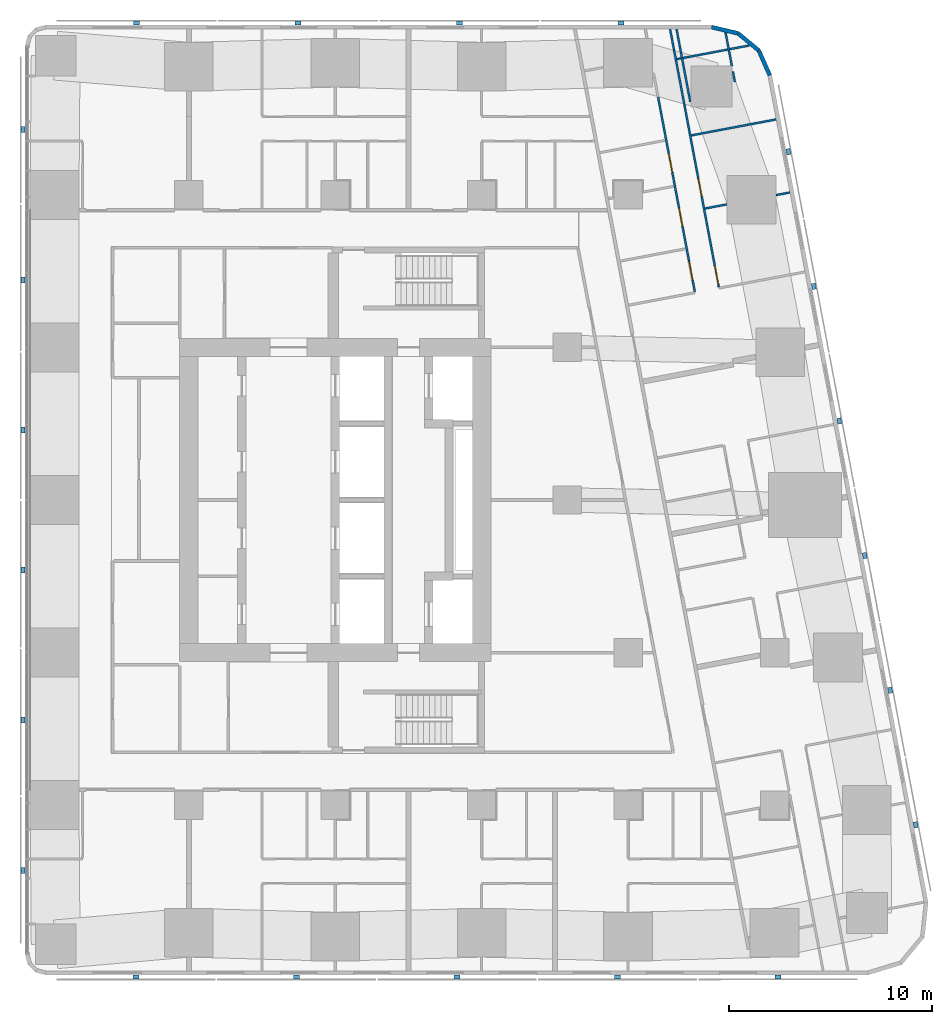
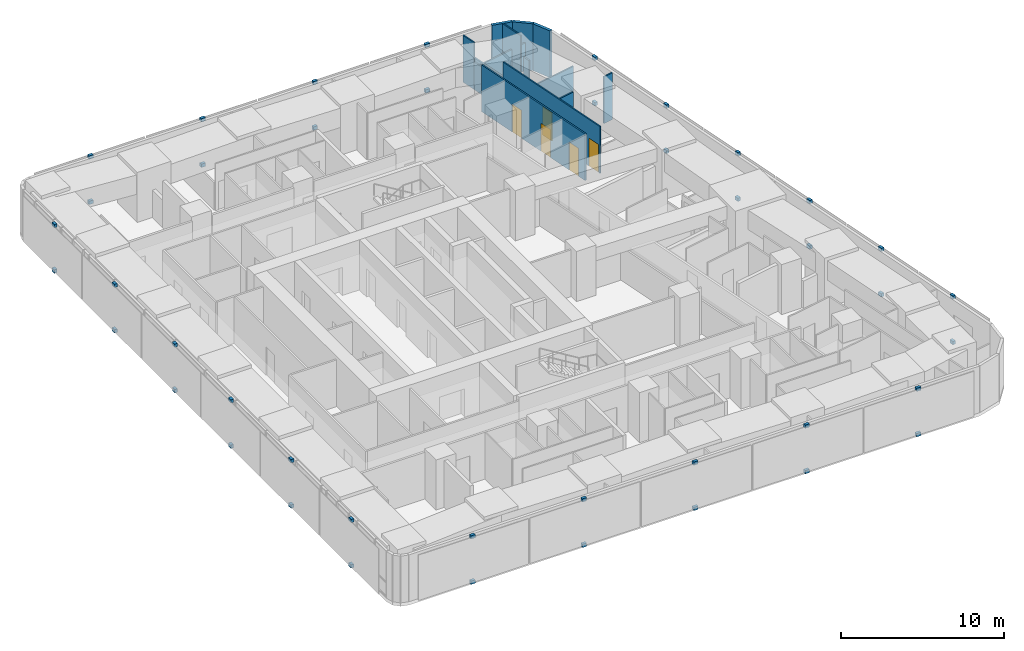
# One storey, part 17 of 19: 42 discrete accessories, 14 walls, 5 doors, 5 openings.
"""IFC4 building model written with IfcOpenShell, lengths in metres."""

from ifc_helpers import new_model, si_unit, direction, frame, frame_2d, origin, origin_2d, place, context, subcontext, project, spatial, rectangle, extrude, material, layer, layer_set, type_object, element, fill, save


model = new_model("IFC4")

# Units and contexts
model_context = context("Model", 3, precision=1e-05, world=origin(), true_north=direction((0.0, 1.0)))
body_context = subcontext(model_context, "Body", "Model", "MODEL_VIEW")
ifc_project = project(units=[si_unit("LENGTHUNIT", "METRE"), si_unit("AREAUNIT", "SQUARE_METRE"), si_unit("VOLUMEUNIT", "CUBIC_METRE"), si_unit("PLANEANGLEUNIT", "RADIAN"), si_unit("MASSUNIT", "GRAM", prefix="KILO")], contexts=[model_context])

# Site, building, storey
site_placement = place(None, origin())
site = spatial("IfcSite", under=ifc_project, at=site_placement, CompositionType="ELEMENT")
building_placement = place(site_placement, origin())
building = spatial("IfcBuilding", under=site, at=building_placement, Name="Sheger Commons Tower", CompositionType="ELEMENT")
storey_placement = place(building_placement, frame((0.0, 0.0, 216.199951171875)))
storey = spatial("IfcBuildingStorey", under=building, at=storey_placement, Name="L55", CompositionType="ELEMENT", Elevation=216.199951171875)

# Walls
ifc_material_1 = material(Name="Rendered concrete block masonry, dark grey", Category="masonry")
ifc_layer_1 = layer(ifc_material_1, 0.199951171875)
ifc_layer_set_1 = layer_set([ifc_layer_1], Name="FACADE WALL 200")
wall_type_1 = type_object("IfcWallType", Name="FACADE WALL 200", PredefinedType="SOLIDWALL", material=ifc_layer_set_1)
wall_1_placement = place(storey_placement, frame((42.969970703125, 43.376953125, 0.0), z_axis=(0.0, 0.0, 1.0), x_axis=(-0.406002956633, 0.913871762998, 0.0)))
element("IfcWall", 1, at=wall_1_placement, inside=storey, type_object=wall_type_1, Name="Facade wall L55", PredefinedType="SOLIDWALL", context=body_context, shape_type="SweptSolid", body=[
    extrude(rectangle(XDim=1.33740234375, YDim=0.199951171875, at=frame_2d((0.668701171875, 0.0))), origin(), (0.0, 0.0, 1.0), 3.5),
])
wall_2_placement = place(storey_placement, frame((42.427001953125, 44.59912109375, 0.0), z_axis=(0.0, 0.0, 1.0), x_axis=(-0.770091412544, 0.637933551655, 0.0)))
element("IfcWall", 2, at=wall_2_placement, inside=storey, type_object=wall_type_1, Name="Facade wall L55", PredefinedType="SOLIDWALL", context=body_context, shape_type="SweptSolid", body=[
    extrude(rectangle(XDim=1.324462890625, YDim=0.199951171875, at=frame_2d((0.662109375, 0.0))), origin(), (0.0, 0.0, 1.0), 3.5),
])
wall_3_placement = place(storey_placement, frame((41.406982421875, 45.444091796875, 0.0), z_axis=(0.0, 0.0, 1.0), x_axis=(-0.973453091607, 0.228886606077, 0.0)))
element("IfcWall", 3, at=wall_3_placement, inside=storey, type_object=wall_type_1, Name="Facade wall L55", PredefinedType="SOLIDWALL", context=body_context, shape_type="SweptSolid", body=[
    extrude(rectangle(XDim=1.33642578125, YDim=0.199951171875, at=frame_2d((0.668212890625, 0.0))), origin(), (0.0, 0.0, 1.0), 3.5),
])
ifc_material_2 = material(Name="Gypsum board on steel studs", Category="steel")
ifc_layer_2 = layer(ifc_material_2, 0.10009765625)
ifc_layer_set_2 = layer_set([ifc_layer_2], Name="PARTITION 100")
wall_type_2 = type_object("IfcWallType", Name="PARTITION 100", PredefinedType="PARTITIONING", material=ifc_layer_set_2)
wall_4_placement = place(storey_placement, frame((39.053955078125, 42.0849609375, 0.0), z_axis=(0.0, 0.0, 1.0), x_axis=(-0.185791584218, 0.982589175207, 0.0)))
element("IfcWall", 4, at=wall_4_placement, inside=storey, type_object=wall_type_2, Name="Partition L55", PredefinedType="PARTITIONING", context=body_context, shape_type="SweptSolid", body=[
    extrude(rectangle(XDim=3.628173828125, YDim=0.10009765625, at=frame_2d((1.81396484375, 0.0))), origin(), (0.0, 0.0, 1.0), 2.050048828125),
])
wall_5_placement = place(storey_placement, frame((40.7890625, 45.487060546875, 0.0), z_axis=(0.0, 0.0, 1.0), x_axis=(0.185572395193, -0.982630594955, 0.0)))
element("IfcWall", 5, at=wall_5_placement, inside=storey, type_object=wall_type_2, Name="Partition L55", PredefinedType="PARTITIONING", context=body_context, shape_type="SweptSolid", body=[
    extrude(rectangle(XDim=1.676025390625, YDim=0.10009765625, at=frame_2d((0.837890625, 0.0))), origin(), (0.0, 0.0, 1.0), 3.5),
])
wall_6_placement = place(storey_placement, frame((41.15087890625, 43.569091796875, 0.0), z_axis=(0.0, 0.0, 1.0), x_axis=(0.186563073924, -0.982442985342, 0.0)))
element("IfcWall", 6, at=wall_6_placement, inside=storey, type_object=wall_type_2, Name="Partition L55", PredefinedType="PARTITIONING", context=body_context, shape_type="SweptSolid", body=[
    extrude(rectangle(XDim=0.53125, YDim=0.10009765625, at=frame_2d((0.265625, 0.0))), origin(), (0.0, 0.0, 1.0), 2.050048828125),
])
wall_7_placement = place(storey_placement, frame((38.06298828125, 45.64990234375, 0.0), z_axis=(0.0, 0.0, 1.0), x_axis=(0.185677287841, -0.982610779902, 0.0)))
element("IfcWall", 7, at=wall_7_placement, inside=storey, type_object=wall_type_2, Name="Partition L55", PredefinedType="PARTITIONING", context=body_context, shape_type="SweptSolid", body=[
    extrude(rectangle(XDim=1.0400390625, YDim=0.10009765625, at=frame_2d((0.52001953125, 0.0))), origin(), (0.0, 0.0, 1.0), 3.5),
])
wall_8_placement = place(storey_placement, frame((38.256103515625, 44.6279296875, 0.0), z_axis=(0.0, 0.0, 1.0), x_axis=(0.185700639943, -0.982606366927, 0.0)))
element("IfcWall", 8, at=wall_8_placement, inside=storey, type_object=wall_type_2, Name="Partition L55", PredefinedType="PARTITIONING", context=body_context, shape_type="SweptSolid", body=[
    extrude(rectangle(XDim=2.734619140625, YDim=0.10009765625, at=frame_2d((1.3671875, 0.0))), origin(), (0.0, 0.0, 1.0), 2.050048828125),
])

# Wall, openings, doors
wall_9_placement = place(storey_placement, frame((38.763916015625, 41.94091796875, 0.0), z_axis=(0.0, 0.0, 1.0), x_axis=(0.185548572312, -0.982635093671, 0.0)))
wall_9 = element("IfcWall", 9, at=wall_9_placement, inside=storey, type_object=wall_type_2, Name="Partition L55", PredefinedType="PARTITIONING", context=body_context, shape_type="SweptSolid", body=[
    extrude(rectangle(XDim=9.135498046875, YDim=0.10009765625, at=frame_2d((4.56787109375, 0.0))), origin(), (0.0, 0.0, 1.0), 3.5),
])
opening_1_placement = place(wall_9_placement, frame((8.0849609375, 0.0, 0.0)))
opening_1 = element("IfcOpeningElement", 10, at=opening_1_placement, cuts=wall_9, Name="Opening D2", PredefinedType="OPENING", context=body_context, shape_type="SweptSolid", body=[
    extrude(rectangle(XDim=0.89990234375, YDim=2.10009765625, at=frame_2d((0.449951171875, 1.050048828125))), frame((0.0, 0.06005859375, 0.0), z_axis=(0.0, -1.0, 0.0), x_axis=(1.0, 0.0, 0.0)), (0.0, 0.0, 1.0), 0.1201171875),
])
opening_2_placement = place(wall_9_placement, frame((3.699951171875, 0.0, 0.0)))
opening_2 = element("IfcOpeningElement", 11, at=opening_2_placement, cuts=wall_9, Name="Opening D2", PredefinedType="OPENING", context=body_context, shape_type="SweptSolid", body=[
    extrude(rectangle(XDim=0.89990234375, YDim=2.10009765625, at=frame_2d((0.449951171875, 1.050048828125))), frame((0.0, 0.06005859375, 0.0), z_axis=(0.0, -1.0, 0.0), x_axis=(1.0, 0.0, 0.0)), (0.0, 0.0, 1.0), 0.1201171875),
])
ifc_material_3 = material(Name="Timber door set", Category="wood")
door_type = type_object("IfcDoorType", Name="INTERNAL DOOR 900x2100", OperationType="NOTDEFINED", PredefinedType="DOOR", material=ifc_material_3)
door_1_placement = place(opening_1_placement, origin())
door_1 = element("IfcDoor", 12, at=door_1_placement, inside=storey, type_object=door_type, Name="Main bedroom door", OperationType="SINGLE_SWING_RIGHT", OverallHeight=2.10009765625, OverallWidth=0.89990234375, PredefinedType="DOOR", context=body_context, shape_type="SweptSolid", body=[
    extrude(rectangle(XDim=0.89990234375, YDim=2.10009765625, at=frame_2d((0.449951171875, 1.050048828125))), frame((0.0, 0.02490234375, 0.0), z_axis=(0.0, -1.0, 0.0), x_axis=(1.0, 0.0, 0.0)), (0.0, 0.0, 1.0), 0.050048828125),
])
fill(opening_1, door_1)
door_2_placement = place(opening_2_placement, origin())
door_2 = element("IfcDoor", 13, at=door_2_placement, inside=storey, type_object=door_type, Name="Bedroom 2 door", OperationType="SINGLE_SWING_RIGHT", OverallHeight=2.10009765625, OverallWidth=0.89990234375, PredefinedType="DOOR", context=body_context, shape_type="SweptSolid", body=[
    extrude(rectangle(XDim=0.89990234375, YDim=2.10009765625, at=frame_2d((0.449951171875, 1.050048828125))), frame((0.0, 0.02490234375, 0.0), z_axis=(0.0, -1.0, 0.0), x_axis=(1.0, 0.0, 0.0)), (0.0, 0.0, 1.0), 0.050048828125),
])
fill(opening_2, door_2)

wall_10_placement = place(storey_placement, frame((37.472900390625, 42.30908203125, 0.0), z_axis=(0.0, 0.0, 1.0), x_axis=(0.185491912953, -0.982645790827, 0.0)))
wall_10 = element("IfcWall", 14, at=wall_10_placement, inside=storey, type_object=wall_type_2, Name="Partition L55", PredefinedType="PARTITIONING", context=body_context, shape_type="SweptSolid", body=[
    extrude(rectangle(XDim=9.737060546875, YDim=0.10009765625, at=frame_2d((4.86865234375, 0.0))), origin(), (0.0, 0.0, 1.0), 3.5),
])
opening_3_placement = place(wall_10_placement, frame((8.23193359375, 0.0, 0.0)))
opening_3 = element("IfcOpeningElement", 15, at=opening_3_placement, cuts=wall_10, Name="Opening D2", PredefinedType="OPENING", context=body_context, shape_type="SweptSolid", body=[
    extrude(rectangle(XDim=0.89990234375, YDim=2.10009765625, at=frame_2d((0.449951171875, 1.050048828125))), frame((0.0, 0.06005859375, 0.0), z_axis=(0.0, -1.0, 0.0), x_axis=(1.0, 0.0, 0.0)), (0.0, 0.0, 1.0), 0.1201171875),
])
opening_4_placement = place(wall_10_placement, frame((2.85302734375, 0.0, 0.0)))
opening_4 = element("IfcOpeningElement", 16, at=opening_4_placement, cuts=wall_10, Name="Opening D2", PredefinedType="OPENING", context=body_context, shape_type="SweptSolid", body=[
    extrude(rectangle(XDim=0.89990234375, YDim=2.10009765625, at=frame_2d((0.449951171875, 1.050048828125))), frame((0.0, 0.06005859375, 0.0), z_axis=(0.0, -1.0, 0.0), x_axis=(1.0, 0.0, 0.0)), (0.0, 0.0, 1.0), 0.1201171875),
])
opening_5_placement = place(wall_10_placement, frame((5.56396484375, 0.0, 0.0)))
opening_5 = element("IfcOpeningElement", 17, at=opening_5_placement, cuts=wall_10, Name="Opening D2", PredefinedType="OPENING", context=body_context, shape_type="SweptSolid", body=[
    extrude(rectangle(XDim=0.89990234375, YDim=2.10009765625, at=frame_2d((0.449951171875, 1.050048828125))), frame((0.0, 0.06005859375, 0.0), z_axis=(0.0, -1.0, 0.0), x_axis=(1.0, 0.0, 0.0)), (0.0, 0.0, 1.0), 0.1201171875),
])
door_3_placement = place(opening_3_placement, origin())
door_3 = element("IfcDoor", 18, at=door_3_placement, inside=storey, type_object=door_type, Name="Bathroom door", OperationType="SINGLE_SWING_LEFT", OverallHeight=2.10009765625, OverallWidth=0.89990234375, PredefinedType="DOOR", context=body_context, shape_type="SweptSolid", body=[
    extrude(rectangle(XDim=0.89990234375, YDim=2.10009765625, at=frame_2d((0.449951171875, 1.050048828125))), frame((0.0, 0.02490234375, 0.0), z_axis=(0.0, -1.0, 0.0), x_axis=(1.0, 0.0, 0.0)), (0.0, 0.0, 1.0), 0.050048828125),
])
fill(opening_3, door_3)
door_4_placement = place(opening_4_placement, origin())
door_4 = element("IfcDoor", 19, at=door_4_placement, inside=storey, type_object=door_type, Name="Laundry room door", OperationType="SINGLE_SWING_LEFT", OverallHeight=2.10009765625, OverallWidth=0.89990234375, PredefinedType="DOOR", context=body_context, shape_type="SweptSolid", body=[
    extrude(rectangle(XDim=0.89990234375, YDim=2.10009765625, at=frame_2d((0.449951171875, 1.050048828125))), frame((0.0, 0.02490234375, 0.0), z_axis=(0.0, -1.0, 0.0), x_axis=(1.0, 0.0, 0.0)), (0.0, 0.0, 1.0), 0.050048828125),
])
fill(opening_4, door_4)
door_5_placement = place(opening_5_placement, origin())
door_5 = element("IfcDoor", 20, at=door_5_placement, inside=storey, type_object=door_type, Name="Store door", OperationType="SINGLE_SWING_LEFT", OverallHeight=2.10009765625, OverallWidth=0.89990234375, PredefinedType="DOOR", context=body_context, shape_type="SweptSolid", body=[
    extrude(rectangle(XDim=0.89990234375, YDim=2.10009765625, at=frame_2d((0.449951171875, 1.050048828125))), frame((0.0, 0.02490234375, 0.0), z_axis=(0.0, -1.0, 0.0), x_axis=(1.0, 0.0, 0.0)), (0.0, 0.0, 1.0), 0.050048828125),
])
fill(opening_5, door_5)

# Walls
wall_11_placement = place(storey_placement, frame((41.968017578125, 44.85009765625, 0.0), z_axis=(0.0, 0.0, 1.0), x_axis=(-0.98258614234, -0.185807623311, 0.0)))
element("IfcWall", 21, at=wall_11_placement, inside=storey, type_object=wall_type_2, Name="Partition L55", PredefinedType="PARTITIONING", context=body_context, shape_type="SweptSolid", body=[
    extrude(rectangle(XDim=3.638427734375, YDim=0.10009765625, at=frame_2d((1.8193359375, 0.0))), origin(), (0.0, 0.0, 1.0), 2.050048828125),
])
wall_12_placement = place(storey_placement, frame((43.277099609375, 41.2119140625, 0.0), z_axis=(0.0, 0.0, 1.0), x_axis=(-0.982665405803, -0.185387972203, 0.0)))
element("IfcWall", 22, at=wall_12_placement, inside=storey, type_object=wall_type_2, Name="Partition L55", PredefinedType="PARTITIONING", context=body_context, shape_type="SweptSolid", body=[
    extrude(rectangle(XDim=4.249755859375, YDim=0.10009765625, at=frame_2d((2.125, 0.0))), origin(), (0.0, 0.0, 1.0), 2.050048828125),
])
wall_13_placement = place(storey_placement, frame((43.955078125, 37.6201171875, 0.0), z_axis=(0.0, 0.0, 1.0), x_axis=(-0.982495415327, -0.186286765128, 0.0)))
element("IfcWall", 23, at=wall_13_placement, inside=storey, type_object=wall_type_2, Name="Partition L55", PredefinedType="PARTITIONING", context=body_context, shape_type="SweptSolid", body=[
    extrude(rectangle(XDim=0.693359375, YDim=0.10009765625, at=frame_2d((0.3466796875, 0.0))), origin(), (0.0, 0.0, 1.0), 3.5),
])
wall_14_placement = place(storey_placement, frame((40.85400390625, 37.033935546875, 0.0), z_axis=(0.0, 0.0, 1.0), x_axis=(-0.982651678759, -0.185460718839, 0.0)))
element("IfcWall", 24, at=wall_14_placement, inside=storey, type_object=wall_type_2, Name="Partition L55", PredefinedType="PARTITIONING", context=body_context, shape_type="SweptSolid", body=[
    extrude(rectangle(XDim=1.093994140625, YDim=0.10009765625, at=frame_2d((0.546875, 0.0))), origin(), (0.0, 0.0, 1.0), 3.5),
])

# Discrete accessories
ifc_material_4 = material(Name="Black painted steel bracket", Category="steel")
discrete_accessory_type = type_object("IfcDiscreteAccessoryType", Name="SCREEN BRACKET 300x200x250", PredefinedType="BRACKET", material=ifc_material_4)
for number, where, z_axis, x_axis, name in (
    (25, (11.7958984375, -0.949951171875, -0.099853515625), (0.0, 0.0, 1.0), (1.0, 0.0, 0.0), "Solar screen foot bracket"),
    (26, (11.7958984375, -0.949951171875, 3.300048828125), (0.0, 0.0, 1.0), (1.0, 0.0, 0.0), "Solar screen head bracket"),
    (27, (19.68701171875, -0.949951171875, -0.099853515625), (0.0, 0.0, 1.0), (1.0, 0.0, 0.0), "Solar screen foot bracket"),
    (28, (19.68701171875, -0.949951171875, 3.300048828125), (0.0, 0.0, 1.0), (1.0, 0.0, 0.0), "Solar screen head bracket"),
    (29, (27.577880859375, -0.949951171875, -0.099853515625), (0.0, 0.0, 1.0), (1.0, 0.0, 0.0), "Solar screen foot bracket"),
    (30, (27.577880859375, -0.949951171875, 3.300048828125), (0.0, 0.0, 1.0), (1.0, 0.0, 0.0), "Solar screen head bracket"),
    (31, (35.468994140625, -0.949951171875, -0.099853515625), (0.0, 0.0, 1.0), (1.0, 0.0, 0.0), "Solar screen foot bracket"),
    (32, (35.468994140625, -0.949951171875, 3.300048828125), (0.0, 0.0, 1.0), (1.0, 0.0, 0.0), "Solar screen head bracket"),
    (33, (43.360107421875, -0.949951171875, -0.099853515625), (0.0, 0.0, 1.0), (1.0, 0.0, 0.0), "Solar screen foot bracket"),
    (34, (43.360107421875, -0.949951171875, 3.300048828125), (0.0, 0.0, 1.0), (1.0, 0.0, 0.0), "Solar screen head bracket"),
    (35, (50.134033203125, 6.527099609375, -0.099853515625), (0.0, 0.0, 1.0), (-0.185615165645, 0.982622516678, 0.0), "Solar screen foot bracket"),
    (36, (50.134033203125, 6.527099609375, 3.300048828125), (0.0, 0.0, 1.0), (-0.185615165645, 0.982622516678, 0.0), "Solar screen head bracket"),
    (37, (48.884033203125, 13.14599609375, -0.099853515625), (0.0, 0.0, 1.0), (-0.185615165645, 0.982622516678, 0.0), "Solar screen foot bracket"),
    (38, (48.884033203125, 13.14599609375, 3.300048828125), (0.0, 0.0, 1.0), (-0.185615165645, 0.982622516678, 0.0), "Solar screen head bracket"),
    (39, (47.633056640625, 19.76611328125, -0.099853515625), (0.0, 0.0, 1.0), (-0.185615165645, 0.982622516678, 0.0), "Solar screen foot bracket"),
    (40, (47.633056640625, 19.76611328125, 3.300048828125), (0.0, 0.0, 1.0), (-0.185615165645, 0.982622516678, 0.0), "Solar screen head bracket"),
    (41, (46.383056640625, 26.385009765625, -0.099853515625), (0.0, 0.0, 1.0), (-0.185615165645, 0.982622516678, 0.0), "Solar screen foot bracket"),
    (42, (46.383056640625, 26.385009765625, 3.300048828125), (0.0, 0.0, 1.0), (-0.185615165645, 0.982622516678, 0.0), "Solar screen head bracket"),
    (43, (45.133056640625, 33.0048828125, -0.099853515625), (0.0, 0.0, 1.0), (-0.185615165645, 0.982622516678, 0.0), "Solar screen foot bracket"),
    (44, (45.133056640625, 33.0048828125, 3.300048828125), (0.0, 0.0, 1.0), (-0.185615165645, 0.982622516678, 0.0), "Solar screen head bracket"),
    (45, (43.882080078125, 39.6240234375, -0.099853515625), (0.0, 0.0, 1.0), (-0.185615165645, 0.982622516678, 0.0), "Solar screen foot bracket"),
    (46, (43.882080078125, 39.6240234375, 3.300048828125), (0.0, 0.0, 1.0), (-0.185615165645, 0.982622516678, 0.0), "Solar screen head bracket"),
    (47, (35.64697265625, 45.949951171875, -0.099853515625), (0.0, 0.0, 1.0), (-1.0, 0.0, 0.0), "Solar screen foot bracket"),
    (48, (35.64697265625, 45.949951171875, 3.300048828125), (0.0, 0.0, 1.0), (-1.0, 0.0, 0.0), "Solar screen head bracket"),
    (49, (27.705078125, 45.949951171875, -0.099853515625), (0.0, 0.0, 1.0), (-1.0, 0.0, 0.0), "Solar screen foot bracket"),
    (50, (27.705078125, 45.949951171875, 3.300048828125), (0.0, 0.0, 1.0), (-1.0, 0.0, 0.0), "Solar screen head bracket"),
    (51, (19.762939453125, 45.949951171875, -0.099853515625), (0.0, 0.0, 1.0), (-1.0, 0.0, 0.0), "Solar screen foot bracket"),
    (52, (19.762939453125, 45.949951171875, 3.300048828125), (0.0, 0.0, 1.0), (-1.0, 0.0, 0.0), "Solar screen head bracket"),
    (53, (11.821044921875, 45.949951171875, -0.099853515625), (0.0, 0.0, 1.0), (-1.0, 0.0, 0.0), "Solar screen foot bracket"),
    (54, (11.821044921875, 45.949951171875, 3.300048828125), (0.0, 0.0, 1.0), (-1.0, 0.0, 0.0), "Solar screen head bracket"),
    (55, (6.25, 40.7080078125, -0.099853515625), (0.0, 0.0, 1.0), (0.0, -1.0, 0.0), "Solar screen foot bracket"),
    (56, (6.25, 40.7080078125, 3.300048828125), (0.0, 0.0, 1.0), (0.0, -1.0, 0.0), "Solar screen head bracket"),
    (57, (6.25, 33.324951171875, -0.099853515625), (0.0, 0.0, 1.0), (0.0, -1.0, 0.0), "Solar screen foot bracket"),
    (58, (6.25, 33.324951171875, 3.300048828125), (0.0, 0.0, 1.0), (0.0, -1.0, 0.0), "Solar screen head bracket"),
    (59, (6.25, 25.94189453125, -0.099853515625), (0.0, 0.0, 1.0), (0.0, -1.0, 0.0), "Solar screen foot bracket"),
    (60, (6.25, 25.94189453125, 3.300048828125), (0.0, 0.0, 1.0), (0.0, -1.0, 0.0), "Solar screen head bracket"),
    (61, (6.25, 19.05810546875, -0.099853515625), (0.0, 0.0, 1.0), (0.0, -1.0, 0.0), "Solar screen foot bracket"),
    (62, (6.25, 19.05810546875, 3.300048828125), (0.0, 0.0, 1.0), (0.0, -1.0, 0.0), "Solar screen head bracket"),
    (63, (6.25, 11.675048828125, -0.099853515625), (0.0, 0.0, 1.0), (0.0, -1.0, 0.0), "Solar screen foot bracket"),
    (64, (6.25, 11.675048828125, 3.300048828125), (0.0, 0.0, 1.0), (0.0, -1.0, 0.0), "Solar screen head bracket"),
    (65, (6.25, 4.2919921875, -0.099853515625), (0.0, 0.0, 1.0), (0.0, -1.0, 0.0), "Solar screen foot bracket"),
    (66, (6.25, 4.2919921875, 3.300048828125), (0.0, 0.0, 1.0), (0.0, -1.0, 0.0), "Solar screen head bracket"),
):
    element("IfcDiscreteAccessory", number, at=place(storey_placement, frame(where, z_axis=z_axis, x_axis=x_axis)), inside=storey, type_object=discrete_accessory_type, Name=name, PredefinedType="BRACKET", context=body_context, shape_type="SweptSolid", body=[
        extrude(rectangle(XDim=0.300048828125, YDim=0.199951171875, at=origin_2d()), origin(), (0.0, 0.0, 1.0), 0.25),
    ])

save(model, "model.ifc")
